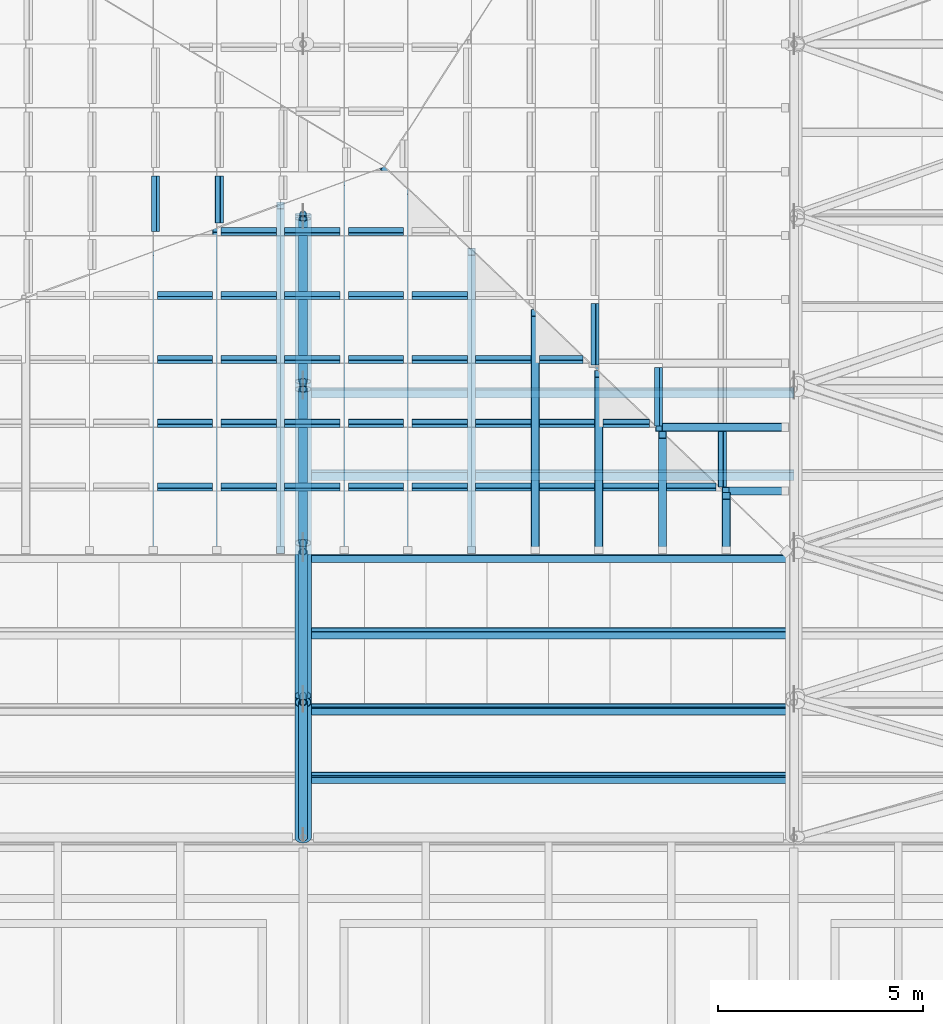
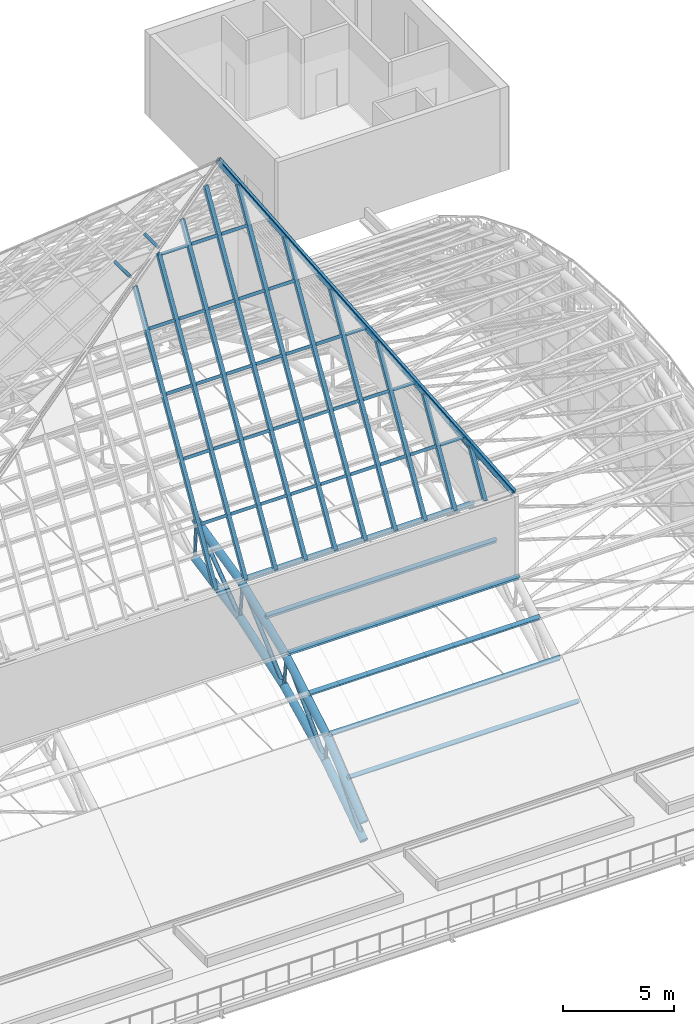
# One storey, part 28 of 110: 72 members.
"""IFC4 building model written with IfcOpenShell, lengths in metres."""

from ifc_helpers import new_model, si_unit, direction, frame, origin, origin_2d, place, context, subcontext, project, spatial, hollow_rectangle, hollow_circle, i_section, extrude, material, material_profile, profile_set, type_object, element, save


model = new_model("IFC4")

# Units and contexts
model_context = context("Model", 3, precision=1e-05, world=origin(), true_north=direction((0.0, 1.0)))
body_context = subcontext(model_context, "Body", "Model", "MODEL_VIEW")
ifc_project = project(units=[si_unit("LENGTHUNIT", "METRE"), si_unit("AREAUNIT", "SQUARE_METRE"), si_unit("VOLUMEUNIT", "CUBIC_METRE"), si_unit("PLANEANGLEUNIT", "RADIAN"), si_unit("MASSUNIT", "GRAM", prefix="KILO")], contexts=[model_context])

# Site, building, storey
site_placement = place(None, origin())
site = spatial("IfcSite", under=ifc_project, at=site_placement, CompositionType="ELEMENT")
building_placement = place(site_placement, origin())
building = spatial("IfcBuilding", under=site, at=building_placement, Name="Windward Yard Aquatics Centre", CompositionType="ELEMENT")
storey_placement = place(building_placement, frame((0.0, 0.0, 22.60009765625)))
storey = spatial("IfcBuildingStorey", under=building, at=storey_placement, Name="L05", CompositionType="ELEMENT", Elevation=22.60009765625)

# Members
ifc_material_1 = material(Name="Steel ASTM A500 Gr C", Category="steel")
ifc_material_profile_1 = material_profile(ifc_material_1, hollow_circle(Radius=0.084228515625, WallThickness=0.010986328125, at=origin_2d()), Name="HSS168.3X11")
ifc_profile_set_1 = profile_set([ifc_material_profile_1], Name="Steel ASTM A500 Gr C")
member_type_1 = type_object("IfcMemberType", Name="H arch post HSS168.3X11", PredefinedType="POST", material=ifc_profile_set_1)
member_1_placement = place(storey_placement, frame((120.0, 45.064697265625, 2.319580078125), z_axis=(0.0, -0.111745510026, 0.993736857015), x_axis=(1.0, 0.0, 0.0)))
element("IfcMember", 1, at=member_1_placement, inside=storey, type_object=member_type_1, Name="H.AT.6.WP02", PredefinedType="POST", context=body_context, shape_type="SweptSolid", body=[
    extrude(hollow_circle(Radius=0.084228515625, WallThickness=0.010986328125, at=origin_2d()), origin(), (0.0, 0.0, 1.0), 1.406982421875),
])
member_2_placement = place(storey_placement, frame((120.0, 48.802734375, 4.16650390625), z_axis=(0.0, -0.121591772527, 0.992580193664), x_axis=(1.0, 0.0, 0.0)))
element("IfcMember", 2, at=member_2_placement, inside=storey, type_object=member_type_1, Name="H.AT.6.WP03", PredefinedType="POST", context=body_context, shape_type="SweptSolid", body=[
    extrude(hollow_circle(Radius=0.084228515625, WallThickness=0.010986328125, at=origin_2d()), origin(), (0.0, 0.0, 1.0), 1.746826171875),
])
member_3_placement = place(storey_placement, frame((120.0, 52.750244140625, 5.5087890625), z_axis=(0.0, -0.094018625473, 0.995570438525), x_axis=(1.0, 0.0, 0.0)))
element("IfcMember", 3, at=member_3_placement, inside=storey, type_object=member_type_1, Name="H.AT.6.WP04", PredefinedType="POST", context=body_context, shape_type="SweptSolid", body=[
    extrude(hollow_circle(Radius=0.084228515625, WallThickness=0.010986328125, at=origin_2d()), origin(), (0.0, 0.0, 1.0), 1.996826171875),
])
member_4_placement = place(storey_placement, frame((120.0, 56.83935546875, 6.323486328125), z_axis=(0.0, -0.050215263417, 0.998738417865), x_axis=(1.0, 0.0, 0.0)))
element("IfcMember", 4, at=member_4_placement, inside=storey, type_object=member_type_1, Name="H.AT.6.WP05", PredefinedType="POST", context=body_context, shape_type="SweptSolid", body=[
    extrude(hollow_circle(Radius=0.084228515625, WallThickness=0.010986328125, at=origin_2d()), origin(), (0.0, 0.0, 1.0), 2.14892578125),
])
ifc_material_profile_2 = material_profile(ifc_material_1, hollow_circle(Radius=0.203125, WallThickness=0.015869140625, at=origin_2d()), Name="HSS406.4X15.9")
ifc_profile_set_2 = profile_set([ifc_material_profile_2], Name="Steel ASTM A500 Gr C")
member_type_2 = type_object("IfcMemberType", Name="H arch top chord HSS406.4X15.9", PredefinedType="CHORD", material=ifc_profile_set_2)
member_5_placement = place(storey_placement, frame((120.0, 41.60009765625, 1.0), z_axis=(0.0, 0.772611352747, 0.634879277979), x_axis=(-1.0, 0.0, 0.0)))
element("IfcMember", 5, at=member_5_placement, inside=storey, type_object=member_type_2, Name="H.AT.6.TC01", PredefinedType="CHORD", context=body_context, shape_type="SweptSolid", body=[
    extrude(hollow_circle(Radius=0.203125, WallThickness=0.015869140625, at=origin_2d()), origin(), (0.0, 0.0, 1.0), 4.28076171875),
])
member_6_placement = place(storey_placement, frame((120.0, 41.60009765625, 0.0), z_axis=(0.0, 0.83095865789, 0.556334170151), x_axis=(-1.0, 0.0, 0.0)))
element("IfcMember", 6, at=member_6_placement, inside=storey, type_object=member_type_2, Name="H.AT.6.BC01", PredefinedType="CHORD", context=body_context, shape_type="SweptSolid", body=[
    extrude(hollow_circle(Radius=0.203125, WallThickness=0.015869140625, at=origin_2d()), origin(), (0.0, 0.0, 1.0), 4.16943359375),
])
member_7_placement = place(storey_placement, frame((120.0, 44.907470703125, 3.7177734375), z_axis=(0.0, 0.860273006082, 0.509833654251), x_axis=(-1.0, 0.0, 0.0)))
element("IfcMember", 7, at=member_7_placement, inside=storey, type_object=member_type_2, Name="H.AT.6.TC02", PredefinedType="CHORD", context=body_context, shape_type="SweptSolid", body=[
    extrude(hollow_circle(Radius=0.203125, WallThickness=0.015869140625, at=origin_2d()), origin(), (0.0, 0.0, 1.0), 4.281005859375),
])
member_8_placement = place(storey_placement, frame((120.0, 45.064697265625, 2.319580078125), z_axis=(0.0, 0.896536837976, 0.4429691842), x_axis=(-1.0, 0.0, 0.0)))
element("IfcMember", 8, at=member_8_placement, inside=storey, type_object=member_type_2, Name="H.AT.6.BC02", PredefinedType="CHORD", context=body_context, shape_type="SweptSolid", body=[
    extrude(hollow_circle(Radius=0.203125, WallThickness=0.015869140625, at=origin_2d()), origin(), (0.0, 0.0, 1.0), 4.16943359375),
])
member_9_placement = place(storey_placement, frame((120.0, 48.59033203125, 5.900390625), z_axis=(0.0, 0.92786581708, 0.372914233429), x_axis=(-1.0, 0.0, 0.0)))
element("IfcMember", 9, at=member_9_placement, inside=storey, type_object=member_type_2, Name="H.AT.6.TC03", PredefinedType="CHORD", context=body_context, shape_type="SweptSolid", body=[
    extrude(hollow_circle(Radius=0.203125, WallThickness=0.015869140625, at=origin_2d()), origin(), (0.0, 0.0, 1.0), 4.281005859375),
])
member_10_placement = place(storey_placement, frame((120.0, 48.802734375, 4.16650390625), z_axis=(0.0, 0.946763107829, 0.321931075938), x_axis=(-1.0, 0.0, 0.0)))
element("IfcMember", 10, at=member_10_placement, inside=storey, type_object=member_type_2, Name="H.AT.6.BC03", PredefinedType="CHORD", context=body_context, shape_type="SweptSolid", body=[
    extrude(hollow_circle(Radius=0.203125, WallThickness=0.015869140625, at=origin_2d()), origin(), (0.0, 0.0, 1.0), 4.16943359375),
])
member_11_placement = place(storey_placement, frame((120.0, 52.5625, 7.496826171875), z_axis=(0.0, 0.973833637334, 0.227262066337), x_axis=(-1.0, 0.0, 0.0)))
element("IfcMember", 11, at=member_11_placement, inside=storey, type_object=member_type_2, Name="H.AT.6.TC04", PredefinedType="CHORD", context=body_context, shape_type="SweptSolid", body=[
    extrude(hollow_circle(Radius=0.203125, WallThickness=0.015869140625, at=origin_2d()), origin(), (0.0, 0.0, 1.0), 4.281005859375),
])
member_12_placement = place(storey_placement, frame((120.0, 52.750244140625, 5.5087890625), z_axis=(0.0, 0.980724544319, 0.195395414914), x_axis=(-1.0, 0.0, 0.0)))
element("IfcMember", 12, at=member_12_placement, inside=storey, type_object=member_type_2, Name="H.AT.6.BC04", PredefinedType="CHORD", context=body_context, shape_type="SweptSolid", body=[
    extrude(hollow_circle(Radius=0.203125, WallThickness=0.015869140625, at=origin_2d()), origin(), (0.0, 0.0, 1.0), 4.16943359375),
])
ifc_material_profile_3 = material_profile(ifc_material_1, hollow_circle(Radius=0.109619140625, WallThickness=0.00830078125, at=origin_2d()), Name="HSS219.1X8.2")
ifc_profile_set_3 = profile_set([ifc_material_profile_3], Name="Steel ASTM A500 Gr C")
member_type_3 = type_object("IfcMemberType", Name="H arch web diagonal HSS219.1X8.2", PredefinedType="BRACE", material=ifc_profile_set_3)
member_13_placement = place(storey_placement, frame((120.0, 41.60009765625, 0.0), z_axis=(0.0, 0.664665272452, 0.747141268835), x_axis=(-1.0, 0.0, 0.0)))
element("IfcMember", 13, at=member_13_placement, inside=storey, type_object=member_type_3, Name="H.AT.6.WD01", PredefinedType="BRACE", context=body_context, shape_type="SweptSolid", body=[
    extrude(hollow_circle(Radius=0.109619140625, WallThickness=0.00830078125, at=origin_2d()), origin(), (0.0, 0.0, 1.0), 4.97607421875),
])
member_14_placement = place(storey_placement, frame((120.0, 45.064697265625, 2.319580078125), z_axis=(0.0, 0.701595524129, 0.712575413919), x_axis=(-1.0, 0.0, 0.0)))
element("IfcMember", 14, at=member_14_placement, inside=storey, type_object=member_type_3, Name="H.AT.6.WD02", PredefinedType="BRACE", context=body_context, shape_type="SweptSolid", body=[
    extrude(hollow_circle(Radius=0.109619140625, WallThickness=0.00830078125, at=origin_2d()), origin(), (0.0, 0.0, 1.0), 5.025146484375),
])
member_15_placement = place(storey_placement, frame((120.0, 48.802734375, 4.16650390625), z_axis=(0.0, 0.748564053538, 0.663062484047), x_axis=(-1.0, 0.0, 0.0)))
element("IfcMember", 15, at=member_15_placement, inside=storey, type_object=member_type_3, Name="H.AT.6.WD03", PredefinedType="BRACE", context=body_context, shape_type="SweptSolid", body=[
    extrude(hollow_circle(Radius=0.109619140625, WallThickness=0.00830078125, at=origin_2d()), origin(), (0.0, 0.0, 1.0), 5.022705078125),
])
member_16_placement = place(storey_placement, frame((120.0, 52.750244140625, 5.5087890625), z_axis=(0.0, 0.802408568981, 0.596775073563), x_axis=(-1.0, 0.0, 0.0)))
element("IfcMember", 16, at=member_16_placement, inside=storey, type_object=member_type_3, Name="H.AT.6.WD04", PredefinedType="BRACE", context=body_context, shape_type="SweptSolid", body=[
    extrude(hollow_circle(Radius=0.109619140625, WallThickness=0.00830078125, at=origin_2d()), origin(), (0.0, 0.0, 1.0), 4.961669921875),
])
ifc_material_profile_4 = material_profile(ifc_material_1, hollow_rectangle(XDim=0.25390625, YDim=0.25390625, WallThickness=0.015869140625, InnerFilletRadius=0.008056640625, OuterFilletRadius=0.02392578125, at=origin_2d()), Name="HSS254X254X15.9")
ifc_profile_set_4 = profile_set([ifc_material_profile_4], Name="Steel ASTM A500 Gr C")
member_type_4 = type_object("IfcMemberType", Name="H lantern hip HSS254X254X15.9", PredefinedType="BRACE", material=ifc_profile_set_4)
member_17_placement = place(storey_placement, frame((131.81689453125, 48.594482421875, 10.79296875), z_axis=(-0.469797511789, 0.450322058834, 0.759276195626), x_axis=(-0.703018073399, -0.711048170025, -0.013269829645)))
element("IfcMember", 17, at=member_17_placement, inside=storey, type_object=member_type_4, Name="H.LN.H.02", PredefinedType="BRACE", context=body_context, shape_type="SweptSolid", body=[
    extrude(hollow_rectangle(XDim=0.25390625, YDim=0.25390625, WallThickness=0.015869140625, InnerFilletRadius=0.008056640625, OuterFilletRadius=0.02392578125, at=origin_2d()), origin(), (0.0, 0.0, 1.0), 21.07275390625),
])
ifc_material_profile_5 = material_profile(ifc_material_1, hollow_rectangle(XDim=0.15234375, YDim=0.15234375, WallThickness=0.009521484375, InnerFilletRadius=0.004638671875, OuterFilletRadius=0.01416015625, at=origin_2d()), Name="HSS152X152X9.5")
ifc_profile_set_5 = profile_set([ifc_material_profile_5], Name="Steel ASTM A500 Gr C")
member_type_5 = type_object("IfcMemberType", Name="H lantern purlin HSS152X152X9.5", PredefinedType="PURLIN", material=ifc_profile_set_5)
member_18_placement = place(storey_placement, frame((130.095458984375, 50.168212890625, 13.46923828125), z_axis=(-1.0, 0.0, 0.0), x_axis=(0.0, -0.51011965155, -0.860103447908)))
element("IfcMember", 18, at=member_18_placement, inside=storey, type_object=member_type_5, Name="H.LN.U.01.01.01", PredefinedType="PURLIN", context=body_context, shape_type="SweptSolid", body=[
    extrude(hollow_rectangle(XDim=0.15234375, YDim=0.15234375, WallThickness=0.009521484375, InnerFilletRadius=0.004638671875, OuterFilletRadius=0.01416015625, at=origin_2d()), origin(), (0.0, 0.0, 1.0), 1.206787109375),
])
member_19_placement = place(storey_placement, frame((128.685302734375, 50.168212890625, 13.46923828125), z_axis=(-1.0, 0.0, 0.0), x_axis=(0.0, -0.51011965155, -0.860103447908)))
element("IfcMember", 19, at=member_19_placement, inside=storey, type_object=member_type_5, Name="H.LN.U.01.01.02", PredefinedType="PURLIN", context=body_context, shape_type="SweptSolid", body=[
    extrude(hollow_rectangle(XDim=0.15234375, YDim=0.15234375, WallThickness=0.009521484375, InnerFilletRadius=0.004638671875, OuterFilletRadius=0.01416015625, at=origin_2d()), origin(), (0.0, 0.0, 1.0), 1.353271484375),
])
member_20_placement = place(storey_placement, frame((127.12890625, 50.168212890625, 13.46923828125), z_axis=(-1.0, 0.0, 0.0), x_axis=(0.0, -0.51011965155, -0.860103447908)))
element("IfcMember", 20, at=member_20_placement, inside=storey, type_object=member_type_5, Name="H.LN.U.01.01.03", PredefinedType="PURLIN", context=body_context, shape_type="SweptSolid", body=[
    extrude(hollow_rectangle(XDim=0.15234375, YDim=0.15234375, WallThickness=0.009521484375, InnerFilletRadius=0.004638671875, OuterFilletRadius=0.01416015625, at=origin_2d()), origin(), (0.0, 0.0, 1.0), 1.353515625),
])
for number, where, z_axis, x_axis, name in (
    (21, (125.572265625, 50.168212890625, 13.46923828125), (-1.0, 0.0, 0.0), (0.0, -0.51011965155, -0.860103447908), "H.LN.U.01.01.04"),
    (22, (124.015869140625, 50.168212890625, 13.46923828125), (-1.0, 0.0, 0.0), (0.0, -0.51011965155, -0.860103447908), "H.LN.U.01.01.05"),
    (23, (122.459228515625, 50.168212890625, 13.46923828125), (-1.0, 0.0, 0.0), (0.0, -0.51011965155, -0.860103447908), "H.LN.U.01.01.06"),
    (24, (120.902587890625, 50.168212890625, 13.46923828125), (-1.0, 0.0, 0.0), (0.0, -0.51011965155, -0.860103447908), "H.LN.U.01.01.07"),
    (25, (119.34619140625, 50.168212890625, 13.46923828125), (-1.0, 0.0, 0.0), (0.0, -0.51011965155, -0.860103447908), "H.LN.U.01.01.08"),
):
    element("IfcMember", number, at=place(storey_placement, frame(where, z_axis=z_axis, x_axis=x_axis)), inside=storey, type_object=member_type_5, Name=name, PredefinedType="PURLIN", context=body_context, shape_type="SweptSolid", body=[
        extrude(hollow_rectangle(XDim=0.15234375, YDim=0.15234375, WallThickness=0.009521484375, InnerFilletRadius=0.004638671875, OuterFilletRadius=0.01416015625, at=origin_2d()), origin(), (0.0, 0.0, 1.0), 1.353271484375),
    ])
member_21_placement = place(storey_placement, frame((117.789794921875, 50.168212890625, 13.46923828125), z_axis=(-1.0, 0.0, 0.0), x_axis=(0.0, -0.51011965155, -0.860103447908)))
element("IfcMember", 26, at=member_21_placement, inside=storey, type_object=member_type_5, Name="H.LN.U.01.01.09", PredefinedType="PURLIN", context=body_context, shape_type="SweptSolid", body=[
    extrude(hollow_rectangle(XDim=0.15234375, YDim=0.15234375, WallThickness=0.009521484375, InnerFilletRadius=0.004638671875, OuterFilletRadius=0.01416015625, at=origin_2d()), origin(), (0.0, 0.0, 1.0), 1.353515625),
])
member_22_placement = place(storey_placement, frame((128.466796875, 51.7294921875, 16.1015625), z_axis=(-1.0, 0.0, 0.0), x_axis=(0.0, -0.51011965155, -0.860103447908)))
element("IfcMember", 27, at=member_22_placement, inside=storey, type_object=member_type_5, Name="H.LN.U.01.02.01", PredefinedType="PURLIN", context=body_context, shape_type="SweptSolid", body=[
    extrude(hollow_rectangle(XDim=0.15234375, YDim=0.15234375, WallThickness=0.009521484375, InnerFilletRadius=0.004638671875, OuterFilletRadius=0.01416015625, at=origin_2d()), origin(), (0.0, 0.0, 1.0), 1.134765625),
])
member_23_placement = place(storey_placement, frame((127.12890625, 51.7294921875, 16.1015625), z_axis=(-1.0, 0.0, 0.0), x_axis=(0.0, -0.51011965155, -0.860103447908)))
element("IfcMember", 28, at=member_23_placement, inside=storey, type_object=member_type_5, Name="H.LN.U.01.02.02", PredefinedType="PURLIN", context=body_context, shape_type="SweptSolid", body=[
    extrude(hollow_rectangle(XDim=0.15234375, YDim=0.15234375, WallThickness=0.009521484375, InnerFilletRadius=0.004638671875, OuterFilletRadius=0.01416015625, at=origin_2d()), origin(), (0.0, 0.0, 1.0), 1.353515625),
])
for number, where, z_axis, x_axis, name in (
    (29, (125.572265625, 51.7294921875, 16.1015625), (-1.0, 0.0, 0.0), (0.0, -0.51011965155, -0.860103447908), "H.LN.U.01.02.03"),
    (30, (124.015869140625, 51.7294921875, 16.1015625), (-1.0, 0.0, 0.0), (0.0, -0.51011965155, -0.860103447908), "H.LN.U.01.02.04"),
    (31, (122.459228515625, 51.7294921875, 16.1015625), (-1.0, 0.0, 0.0), (0.0, -0.51011965155, -0.860103447908), "H.LN.U.01.02.05"),
    (32, (120.902587890625, 51.7294921875, 16.1015625), (-1.0, 0.0, 0.0), (0.0, -0.51011965155, -0.860103447908), "H.LN.U.01.02.06"),
    (33, (119.34619140625, 51.7294921875, 16.1015625), (-1.0, 0.0, 0.0), (0.0, -0.51011965155, -0.860103447908), "H.LN.U.01.02.07"),
):
    element("IfcMember", number, at=place(storey_placement, frame(where, z_axis=z_axis, x_axis=x_axis)), inside=storey, type_object=member_type_5, Name=name, PredefinedType="PURLIN", context=body_context, shape_type="SweptSolid", body=[
        extrude(hollow_rectangle(XDim=0.15234375, YDim=0.15234375, WallThickness=0.009521484375, InnerFilletRadius=0.004638671875, OuterFilletRadius=0.01416015625, at=origin_2d()), origin(), (0.0, 0.0, 1.0), 1.353271484375),
    ])
member_24_placement = place(storey_placement, frame((117.789794921875, 51.7294921875, 16.1015625), z_axis=(-1.0, 0.0, 0.0), x_axis=(0.0, -0.51011965155, -0.860103447908)))
element("IfcMember", 34, at=member_24_placement, inside=storey, type_object=member_type_5, Name="H.LN.U.01.02.08", PredefinedType="PURLIN", context=body_context, shape_type="SweptSolid", body=[
    extrude(hollow_rectangle(XDim=0.15234375, YDim=0.15234375, WallThickness=0.009521484375, InnerFilletRadius=0.004638671875, OuterFilletRadius=0.01416015625, at=origin_2d()), origin(), (0.0, 0.0, 1.0), 1.353515625),
])
member_25_placement = place(storey_placement, frame((126.838134765625, 53.29052734375, 18.73388671875), z_axis=(-1.0, 0.0, 0.0), x_axis=(0.0, -0.51011965155, -0.860103447908)))
element("IfcMember", 35, at=member_25_placement, inside=storey, type_object=member_type_5, Name="H.LN.U.01.03.01", PredefinedType="PURLIN", context=body_context, shape_type="SweptSolid", body=[
    extrude(hollow_rectangle(XDim=0.15234375, YDim=0.15234375, WallThickness=0.009521484375, InnerFilletRadius=0.004638671875, OuterFilletRadius=0.01416015625, at=origin_2d()), origin(), (0.0, 0.0, 1.0), 1.062744140625),
])
for number, where, z_axis, x_axis, name in (
    (36, (125.572265625, 53.29052734375, 18.73388671875), (-1.0, 0.0, 0.0), (0.0, -0.51011965155, -0.860103447908), "H.LN.U.01.03.02"),
    (37, (124.015869140625, 53.29052734375, 18.73388671875), (-1.0, 0.0, 0.0), (0.0, -0.51011965155, -0.860103447908), "H.LN.U.01.03.03"),
    (38, (122.459228515625, 53.29052734375, 18.73388671875), (-1.0, 0.0, 0.0), (0.0, -0.51011965155, -0.860103447908), "H.LN.U.01.03.04"),
    (39, (120.902587890625, 53.29052734375, 18.73388671875), (-1.0, 0.0, 0.0), (0.0, -0.51011965155, -0.860103447908), "H.LN.U.01.03.05"),
    (40, (119.34619140625, 53.29052734375, 18.73388671875), (-1.0, 0.0, 0.0), (0.0, -0.51011965155, -0.860103447908), "H.LN.U.01.03.06"),
):
    element("IfcMember", number, at=place(storey_placement, frame(where, z_axis=z_axis, x_axis=x_axis)), inside=storey, type_object=member_type_5, Name=name, PredefinedType="PURLIN", context=body_context, shape_type="SweptSolid", body=[
        extrude(hollow_rectangle(XDim=0.15234375, YDim=0.15234375, WallThickness=0.009521484375, InnerFilletRadius=0.004638671875, OuterFilletRadius=0.01416015625, at=origin_2d()), origin(), (0.0, 0.0, 1.0), 1.353271484375),
    ])
member_26_placement = place(storey_placement, frame((117.789794921875, 53.29052734375, 18.73388671875), z_axis=(-1.0, 0.0, 0.0), x_axis=(0.0, -0.51011965155, -0.860103447908)))
element("IfcMember", 41, at=member_26_placement, inside=storey, type_object=member_type_5, Name="H.LN.U.01.03.07", PredefinedType="PURLIN", context=body_context, shape_type="SweptSolid", body=[
    extrude(hollow_rectangle(XDim=0.15234375, YDim=0.15234375, WallThickness=0.009521484375, InnerFilletRadius=0.004638671875, OuterFilletRadius=0.01416015625, at=origin_2d()), origin(), (0.0, 0.0, 1.0), 1.353515625),
])
for number, where, z_axis, x_axis, name in (
    (42, (124.015869140625, 54.851806640625, 21.3662109375), (-1.0, 0.0, 0.0), (0.0, -0.51011965155, -0.860103447908), "H.LN.U.01.04.02"),
    (43, (122.459228515625, 54.851806640625, 21.3662109375), (-1.0, 0.0, 0.0), (0.0, -0.51011965155, -0.860103447908), "H.LN.U.01.04.03"),
    (44, (120.902587890625, 54.851806640625, 21.3662109375), (-1.0, 0.0, 0.0), (0.0, -0.51011965155, -0.860103447908), "H.LN.U.01.04.04"),
    (45, (119.34619140625, 54.851806640625, 21.3662109375), (-1.0, 0.0, 0.0), (0.0, -0.51011965155, -0.860103447908), "H.LN.U.01.04.05"),
):
    element("IfcMember", number, at=place(storey_placement, frame(where, z_axis=z_axis, x_axis=x_axis)), inside=storey, type_object=member_type_5, Name=name, PredefinedType="PURLIN", context=body_context, shape_type="SweptSolid", body=[
        extrude(hollow_rectangle(XDim=0.15234375, YDim=0.15234375, WallThickness=0.009521484375, InnerFilletRadius=0.004638671875, OuterFilletRadius=0.01416015625, at=origin_2d()), origin(), (0.0, 0.0, 1.0), 1.353271484375),
    ])
member_27_placement = place(storey_placement, frame((117.789794921875, 54.851806640625, 21.3662109375), z_axis=(-1.0, 0.0, 0.0), x_axis=(0.0, -0.51011965155, -0.860103447908)))
element("IfcMember", 46, at=member_27_placement, inside=storey, type_object=member_type_5, Name="H.LN.U.01.04.06", PredefinedType="PURLIN", context=body_context, shape_type="SweptSolid", body=[
    extrude(hollow_rectangle(XDim=0.15234375, YDim=0.15234375, WallThickness=0.009521484375, InnerFilletRadius=0.004638671875, OuterFilletRadius=0.01416015625, at=origin_2d()), origin(), (0.0, 0.0, 1.0), 1.353515625),
])
for number, where, z_axis, x_axis, name in (
    (47, (122.459228515625, 56.4130859375, 23.998291015625), (-1.0, 0.0, 0.0), (0.0, -0.51011965155, -0.860103447908), "H.LN.U.01.05.02"),
    (48, (120.902587890625, 56.4130859375, 23.998291015625), (-1.0, 0.0, 0.0), (0.0, -0.51011965155, -0.860103447908), "H.LN.U.01.05.03"),
    (49, (119.34619140625, 56.4130859375, 23.998291015625), (-1.0, 0.0, 0.0), (0.0, -0.51011965155, -0.860103447908), "H.LN.U.01.05.04"),
):
    element("IfcMember", number, at=place(storey_placement, frame(where, z_axis=z_axis, x_axis=x_axis)), inside=storey, type_object=member_type_5, Name=name, PredefinedType="PURLIN", context=body_context, shape_type="SweptSolid", body=[
        extrude(hollow_rectangle(XDim=0.15234375, YDim=0.15234375, WallThickness=0.009521484375, InnerFilletRadius=0.004638671875, OuterFilletRadius=0.01416015625, at=origin_2d()), origin(), (0.0, 0.0, 1.0), 1.353271484375),
    ])
member_28_placement = place(storey_placement, frame((130.248046875, 51.53125, 13.350830078125), z_axis=(0.0, -1.0, 0.0), x_axis=(0.526172366974, 0.0, -0.850377939644)))
element("IfcMember", 50, at=member_28_placement, inside=storey, type_object=member_type_5, Name="H.LN.U.02.01.14", PredefinedType="PURLIN", context=body_context, shape_type="SweptSolid", body=[
    extrude(hollow_rectangle(XDim=0.15234375, YDim=0.15234375, WallThickness=0.009521484375, InnerFilletRadius=0.004638671875, OuterFilletRadius=0.01416015625, at=origin_2d()), origin(), (0.0, 0.0, 1.0), 1.3603515625),
])
member_29_placement = place(storey_placement, frame((128.69140625, 53.092529296875, 15.866455078125), z_axis=(0.0, -1.0, 0.0), x_axis=(0.526172366974, 0.0, -0.850377939644)))
element("IfcMember", 51, at=member_29_placement, inside=storey, type_object=member_type_5, Name="H.LN.U.02.02.11", PredefinedType="PURLIN", context=body_context, shape_type="SweptSolid", body=[
    extrude(hollow_rectangle(XDim=0.15234375, YDim=0.15234375, WallThickness=0.009521484375, InnerFilletRadius=0.004638671875, OuterFilletRadius=0.01416015625, at=origin_2d()), origin(), (0.0, 0.0, 1.0), 1.4296875),
])
member_30_placement = place(storey_placement, frame((127.135009765625, 54.65380859375, 18.382080078125), z_axis=(0.0, -1.0, 0.0), x_axis=(0.526172366974, 0.0, -0.850377939644)))
element("IfcMember", 52, at=member_30_placement, inside=storey, type_object=member_type_5, Name="H.LN.U.02.03.09", PredefinedType="PURLIN", context=body_context, shape_type="SweptSolid", body=[
    extrude(hollow_rectangle(XDim=0.15234375, YDim=0.15234375, WallThickness=0.009521484375, InnerFilletRadius=0.004638671875, OuterFilletRadius=0.01416015625, at=origin_2d()), origin(), (0.0, 0.0, 1.0), 1.4990234375),
])
member_31_placement = place(storey_placement, frame((116.393798828125, 56.418212890625, 23.299072265625), z_axis=(0.0, 1.0, 0.0), x_axis=(-0.850755160219, 0.0, -0.525562229771)))
element("IfcMember", 53, at=member_31_placement, inside=storey, type_object=member_type_5, Name="H.LN.U.04.13.02", PredefinedType="PURLIN", context=body_context, shape_type="SweptSolid", body=[
    extrude(hollow_rectangle(XDim=0.15234375, YDim=0.15234375, WallThickness=0.009521484375, InnerFilletRadius=0.004638671875, OuterFilletRadius=0.01416015625, at=origin_2d()), origin(), (0.0, 0.0, 1.0), 1.357666015625),
])
member_32_placement = place(storey_placement, frame((117.9501953125, 56.6240234375, 24.260498046875), z_axis=(0.0, 1.0, 0.0), x_axis=(-0.850755160219, 0.0, -0.525562229771)))
element("IfcMember", 54, at=member_32_placement, inside=storey, type_object=member_type_5, Name="H.LN.U.04.14.01", PredefinedType="PURLIN", context=body_context, shape_type="SweptSolid", body=[
    extrude(hollow_rectangle(XDim=0.15234375, YDim=0.15234375, WallThickness=0.009521484375, InnerFilletRadius=0.004638671875, OuterFilletRadius=0.01416015625, at=origin_2d()), origin(), (0.0, 0.0, 1.0), 1.15185546875),
])
ifc_material_profile_6 = material_profile(ifc_material_1, hollow_rectangle(XDim=0.203125, YDim=0.203125, WallThickness=0.009521484375, InnerFilletRadius=0.004638671875, OuterFilletRadius=0.01416015625, at=origin_2d()), Name="HSS203X203X9.5")
ifc_profile_set_6 = profile_set([ifc_material_profile_6], Name="Steel ASTM A500 Gr C")
member_type_6 = type_object("IfcMemberType", Name="H lantern rafter HSS203X203X9.5", PredefinedType="RAFTER", material=ifc_profile_set_6)
member_33_placement = place(storey_placement, frame((130.343505859375, 48.62890625, 10.823974609375), z_axis=(0.0, 0.510088659056, 0.860121828524), x_axis=(-1.0, 0.0, 0.0)))
element("IfcMember", 55, at=member_33_placement, inside=storey, type_object=member_type_6, Name="H.LN.R.01.01", PredefinedType="RAFTER", context=body_context, shape_type="SweptSolid", body=[
    extrude(hollow_rectangle(XDim=0.203125, YDim=0.203125, WallThickness=0.009521484375, InnerFilletRadius=0.004638671875, OuterFilletRadius=0.01416015625, at=origin_2d()), origin(), (0.0, 0.0, 1.0), 2.5947265625),
])
member_34_placement = place(storey_placement, frame((128.787109375, 48.62890625, 10.823974609375), z_axis=(0.0, 0.510098206716, 0.860116166285), x_axis=(-1.0, 0.0, 0.0)))
element("IfcMember", 56, at=member_34_placement, inside=storey, type_object=member_type_6, Name="H.LN.R.01.02", PredefinedType="RAFTER", context=body_context, shape_type="SweptSolid", body=[
    extrude(hollow_rectangle(XDim=0.203125, YDim=0.203125, WallThickness=0.009521484375, InnerFilletRadius=0.004638671875, OuterFilletRadius=0.01416015625, at=origin_2d()), origin(), (0.0, 0.0, 1.0), 5.519287109375),
])
member_35_placement = place(storey_placement, frame((127.23046875, 48.62890625, 10.823974609375), z_axis=(0.0, 0.510101140396, 0.860114426438), x_axis=(-1.0, 0.0, 0.0)))
element("IfcMember", 57, at=member_35_placement, inside=storey, type_object=member_type_6, Name="H.LN.R.01.03", PredefinedType="RAFTER", context=body_context, shape_type="SweptSolid", body=[
    extrude(hollow_rectangle(XDim=0.203125, YDim=0.203125, WallThickness=0.009521484375, InnerFilletRadius=0.004638671875, OuterFilletRadius=0.01416015625, at=origin_2d()), origin(), (0.0, 0.0, 1.0), 8.444091796875),
])
member_36_placement = place(storey_placement, frame((125.673828125, 48.62890625, 10.823974609375), z_axis=(0.0, 0.510111986585, 0.860107993883), x_axis=(-1.0, 0.0, 0.0)))
element("IfcMember", 58, at=member_36_placement, inside=storey, type_object=member_type_6, Name="H.LN.R.01.04", PredefinedType="RAFTER", context=body_context, shape_type="SweptSolid", body=[
    extrude(hollow_rectangle(XDim=0.203125, YDim=0.203125, WallThickness=0.009521484375, InnerFilletRadius=0.004638671875, OuterFilletRadius=0.01416015625, at=origin_2d()), origin(), (0.0, 0.0, 1.0), 11.36865234375),
])
member_37_placement = place(storey_placement, frame((124.117431640625, 48.62890625, 10.823974609375), z_axis=(0.0, 0.51012353585, 0.860101144152), x_axis=(-1.0, 0.0, 0.0)))
element("IfcMember", 59, at=member_37_placement, inside=storey, type_object=member_type_6, Name="H.LN.R.01.05", PredefinedType="RAFTER", context=body_context, shape_type="SweptSolid", body=[
    extrude(hollow_rectangle(XDim=0.203125, YDim=0.203125, WallThickness=0.009521484375, InnerFilletRadius=0.004638671875, OuterFilletRadius=0.01416015625, at=origin_2d()), origin(), (0.0, 0.0, 1.0), 14.293701171875),
])
member_38_placement = place(storey_placement, frame((122.560791015625, 48.62890625, 10.823974609375), z_axis=(0.0, 0.510120672095, 0.86010284263), x_axis=(-1.0, 0.0, 0.0)))
element("IfcMember", 60, at=member_38_placement, inside=storey, type_object=member_type_6, Name="H.LN.R.01.06", PredefinedType="RAFTER", context=body_context, shape_type="SweptSolid", body=[
    extrude(hollow_rectangle(XDim=0.203125, YDim=0.203125, WallThickness=0.009521484375, InnerFilletRadius=0.004638671875, OuterFilletRadius=0.01416015625, at=origin_2d()), origin(), (0.0, 0.0, 1.0), 17.21826171875),
])
member_39_placement = place(storey_placement, frame((121.00439453125, 48.62890625, 10.823974609375), z_axis=(0.0, 0.510113558301, 0.86010706173), x_axis=(-1.0, 0.0, 0.0)))
element("IfcMember", 61, at=member_39_placement, inside=storey, type_object=member_type_6, Name="H.LN.R.01.07", PredefinedType="RAFTER", context=body_context, shape_type="SweptSolid", body=[
    extrude(hollow_rectangle(XDim=0.203125, YDim=0.203125, WallThickness=0.009521484375, InnerFilletRadius=0.004638671875, OuterFilletRadius=0.01416015625, at=origin_2d()), origin(), (0.0, 0.0, 1.0), 17.633544921875),
])
member_40_placement = place(storey_placement, frame((119.44775390625, 48.62890625, 10.823974609375), z_axis=(0.0, 0.510115175718, 0.860106102468), x_axis=(-1.0, 0.0, 0.0)))
element("IfcMember", 62, at=member_40_placement, inside=storey, type_object=member_type_6, Name="H.LN.R.01.08", PredefinedType="RAFTER", context=body_context, shape_type="SweptSolid", body=[
    extrude(hollow_rectangle(XDim=0.203125, YDim=0.203125, WallThickness=0.009521484375, InnerFilletRadius=0.004638671875, OuterFilletRadius=0.01416015625, at=origin_2d()), origin(), (0.0, 0.0, 1.0), 16.515380859375),
])
member_41_placement = place(storey_placement, frame((117.891357421875, 48.62890625, 10.823974609375), z_axis=(0.0, 0.510117028025, 0.860105003892), x_axis=(-1.0, 0.0, 0.0)))
element("IfcMember", 63, at=member_41_placement, inside=storey, type_object=member_type_6, Name="H.LN.R.01.09", PredefinedType="RAFTER", context=body_context, shape_type="SweptSolid", body=[
    extrude(hollow_rectangle(XDim=0.203125, YDim=0.203125, WallThickness=0.009521484375, InnerFilletRadius=0.004638671875, OuterFilletRadius=0.01416015625, at=origin_2d()), origin(), (0.0, 0.0, 1.0), 15.3974609375),
])
member_42_placement = place(storey_placement, frame((116.334716796875, 48.62890625, 10.823974609375), z_axis=(0.0, 0.510111668894, 0.860108182299), x_axis=(-1.0, 0.0, 0.0)))
element("IfcMember", 64, at=member_42_placement, inside=storey, type_object=member_type_6, Name="H.LN.R.01.10", PredefinedType="RAFTER", context=body_context, shape_type="SweptSolid", body=[
    extrude(hollow_rectangle(XDim=0.203125, YDim=0.203125, WallThickness=0.009521484375, InnerFilletRadius=0.004638671875, OuterFilletRadius=0.01416015625, at=origin_2d()), origin(), (0.0, 0.0, 1.0), 14.279541015625),
])
member_43_placement = place(storey_placement, frame((131.782958984375, 51.6328125, 10.82177734375), z_axis=(-0.526137908045, 0.0, 0.850399260182), x_axis=(0.0, -1.0, 0.0)))
element("IfcMember", 65, at=member_43_placement, inside=storey, type_object=member_type_6, Name="H.LN.R.02.14", PredefinedType="RAFTER", context=body_context, shape_type="SweptSolid", body=[
    extrude(hollow_rectangle(XDim=0.203125, YDim=0.203125, WallThickness=0.009521484375, InnerFilletRadius=0.004638671875, OuterFilletRadius=0.01416015625, at=origin_2d()), origin(), (0.0, 0.0, 1.0), 5.85693359375),
])
member_44_placement = place(storey_placement, frame((131.782958984375, 50.07177734375, 10.82177734375), z_axis=(-0.526123281829, 0.0, 0.850408309177), x_axis=(0.0, -1.0, 0.0)))
element("IfcMember", 66, at=member_44_placement, inside=storey, type_object=member_type_6, Name="H.LN.R.02.15", PredefinedType="RAFTER", context=body_context, shape_type="SweptSolid", body=[
    extrude(hollow_rectangle(XDim=0.203125, YDim=0.203125, WallThickness=0.009521484375, InnerFilletRadius=0.004638671875, OuterFilletRadius=0.01416015625, at=origin_2d()), origin(), (0.0, 0.0, 1.0), 2.761474609375),
])
ifc_material_2 = material(Name="Steel ASTM A992 Gr 50", Category="steel")
ifc_material_profile_7 = material_profile(ifc_material_2, i_section(OverallWidth=0.202880859375, OverallDepth=0.202880859375, WebThickness=0.00732421875, FlangeThickness=0.010986328125, at=origin_2d()), Name="W200X46.1")
ifc_profile_set_7 = profile_set([ifc_material_profile_7], Name="Steel ASTM A992 Gr 50")
member_type_7 = type_object("IfcMemberType", Name="H roof purlin W200X46.1", PredefinedType="PURLIN", material=ifc_profile_set_7)
for number, where, z_axis, x_axis, name in (
    (67, (120.0, 43.060302734375, 2.59423828125), (1.0, 0.0, 0.0), (0.0, 0.772610863417, 0.634879873464), "H.PU.6.02"),
    (68, (120.0, 44.732666015625, 3.96728515625), (1.0, 0.0, 0.0), (0.0, 0.818830898872, 0.574034806481), "H.PU.6.03"),
    (69, (120.0, 46.593505859375, 5.0712890625), (1.0, 0.0, 0.0), (0.0, 0.860270260664, 0.509838286732), "H.PU.6.04"),
    (70, (120.0, 48.45556640625, 6.173583984375), (1.0, 0.0, 0.0), (0.0, 0.896687008655, 0.44266512005), "H.PU.6.05"),
    (71, (120.0, 50.462890625, 6.9814453125), (1.0, 0.0, 0.0), (0.0, 0.927868526784, 0.372907491214), "H.PU.6.06"),
    (72, (120.0, 52.470947265625, 7.787353515625), (1.0, 0.0, 0.0), (0.0, 0.953632764452, 0.300972674115), "H.PU.6.07"),
):
    element("IfcMember", number, at=place(storey_placement, frame(where, z_axis=z_axis, x_axis=x_axis)), inside=storey, type_object=member_type_7, Name=name, PredefinedType="PURLIN", context=body_context, shape_type="SweptSolid", body=[
        extrude(i_section(OverallWidth=0.202880859375, OverallDepth=0.202880859375, WebThickness=0.00732421875, FlangeThickness=0.010986328125, at=origin_2d()), origin(), (0.0, 0.0, 1.0), 12.0),
    ])

save(model, "model.ifc")
